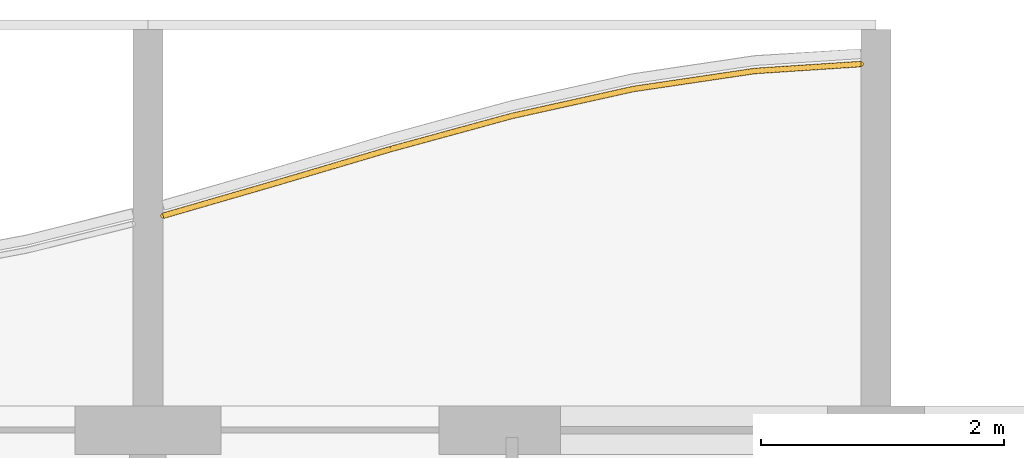
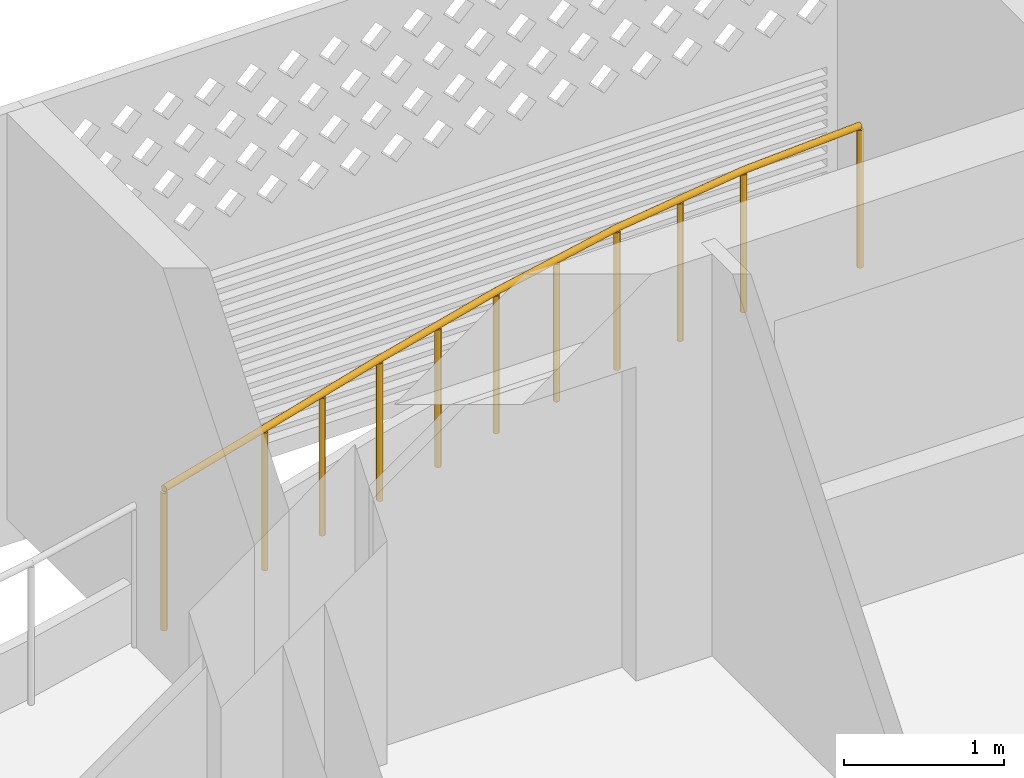
# One storey, part 24 of 31: 1 railing.
"""IFC4 building model written with IfcOpenShell, lengths in metres."""

from ifc_helpers import new_model, si_unit, direction, frame, origin, origin_2d, place, context, subcontext, project, spatial, circle, extrude, material, type_object, element, save


model = new_model("IFC4")

# Units and contexts
model_context = context("Model", 3, precision=1e-05, world=origin(), true_north=direction((0.0, 1.0)))
body_context = subcontext(model_context, "Body", "Model", "MODEL_VIEW")
ifc_project = project(units=[si_unit("LENGTHUNIT", "METRE"), si_unit("AREAUNIT", "SQUARE_METRE"), si_unit("VOLUMEUNIT", "CUBIC_METRE"), si_unit("PLANEANGLEUNIT", "RADIAN"), si_unit("MASSUNIT", "GRAM", prefix="KILO")], contexts=[model_context])

# Site, building, storey
site_placement = place(None, origin())
site = spatial("IfcSite", under=ifc_project, at=site_placement, CompositionType="ELEMENT")
building_placement = place(site_placement, origin())
building = spatial("IfcBuilding", under=site, at=building_placement, Name="Poui Terraces", CompositionType="ELEMENT")
storey_placement = place(building_placement, frame((0.0, 0.0, 142.199951171875)))
storey = spatial("IfcBuildingStorey", under=building, at=storey_placement, Name="L39", CompositionType="ELEMENT", Elevation=142.199951171875)

# Railing
ifc_material = material(Name="Painted steel fretwork", Category="steel")
railing_type = type_object("IfcRailingType", Name="BALCONY GUARD 1100", PredefinedType="GUARDRAIL", material=ifc_material)
railing_placement = place(storey_placement, frame((54.125, 44.1669921875, 0.0)))
element("IfcRailing", 1, at=railing_placement, inside=storey, type_object=railing_type, Name="BALCONY GUARD", PredefinedType="GUARDRAIL", context=body_context, shape_type="SweptSolid", body=[
    extrude(circle(Radius=0.02392578125, at=origin_2d()), frame((0.0, 0.0, 1.076171875), z_axis=(0.960454941812, 0.278435458857, 0.0), x_axis=(-0.278435458857, 0.960454941812, 0.0)), (0.0, 0.0, 1.0), 0.9111328125),
    extrude(circle(Radius=0.02392578125, at=origin_2d()), frame((0.875, 0.253662109375, 1.076171875), z_axis=(0.958965639945, 0.283522312005, 0.0), x_axis=(-0.283522312005, 0.958965639945, 0.0)), (0.0, 0.0, 1.0), 1.042724609375),
    extrude(circle(Radius=0.02392578125, at=origin_2d()), frame((1.875, 0.54931640625, 1.076171875), z_axis=(0.964649598631, 0.26353586447, 0.0), x_axis=(-0.26353586447, 0.964649598631, 0.0)), (0.0, 0.0, 1.0), 1.03662109375),
    extrude(circle(Radius=0.02392578125, at=origin_2d()), frame((2.875, 0.822509765625, 1.076171875), z_axis=(0.976248709224, 0.216652850753, 0.0), x_axis=(-0.216652850753, 0.976248709224, 0.0)), (0.0, 0.0, 1.0), 1.0244140625),
    extrude(circle(Radius=0.02392578125, at=origin_2d()), frame((3.875, 1.04443359375, 1.076171875), z_axis=(0.989161931015, 0.146828724135, 0.0), x_axis=(-0.146828724135, 0.989161931015, 0.0)), (0.0, 0.0, 1.0), 1.010986328125),
    extrude(circle(Radius=0.02392578125, at=origin_2d()), frame((4.875, 1.19287109375, 1.076171875), z_axis=(0.997875386497, 0.065151462176, 0.0), x_axis=(-0.065151462176, 0.997875386497, 0.0)), (0.0, 0.0, 1.0), 0.876953125),
    extrude(circle(Radius=0.02099609375, at=origin_2d()), origin(), (0.0, 0.0, 1.0), 1.052001953125),
    extrude(circle(Radius=0.02099609375, at=origin_2d()), frame((0.875, 0.253662109375, 0.0)), (0.0, 0.0, 1.0), 1.052001953125),
    extrude(circle(Radius=0.02099609375, at=origin_2d()), frame((1.375, 0.4013671875, 0.0)), (0.0, 0.0, 1.0), 1.052001953125),
    extrude(circle(Radius=0.02099609375, at=origin_2d()), frame((1.875, 0.54931640625, 0.0)), (0.0, 0.0, 1.0), 1.052001953125),
    extrude(circle(Radius=0.02099609375, at=origin_2d()), frame((2.375, 0.68603515625, 0.0)), (0.0, 0.0, 1.0), 1.052001953125),
    extrude(circle(Radius=0.02099609375, at=origin_2d()), frame((2.875, 0.822509765625, 0.0)), (0.0, 0.0, 1.0), 1.052001953125),
    extrude(circle(Radius=0.02099609375, at=origin_2d()), frame((3.375, 0.93359375, 0.0)), (0.0, 0.0, 1.0), 1.052001953125),
    extrude(circle(Radius=0.02099609375, at=origin_2d()), frame((3.875, 1.04443359375, 0.0)), (0.0, 0.0, 1.0), 1.052001953125),
    extrude(circle(Radius=0.02099609375, at=origin_2d()), frame((4.375, 1.11865234375, 0.0)), (0.0, 0.0, 1.0), 1.052001953125),
    extrude(circle(Radius=0.02099609375, at=origin_2d()), frame((4.875, 1.19287109375, 0.0)), (0.0, 0.0, 1.0), 1.052001953125),
    extrude(circle(Radius=0.02099609375, at=origin_2d()), frame((5.75, 1.25, 0.0)), (0.0, 0.0, 1.0), 1.052001953125),
])

save(model, "model.ifc")
